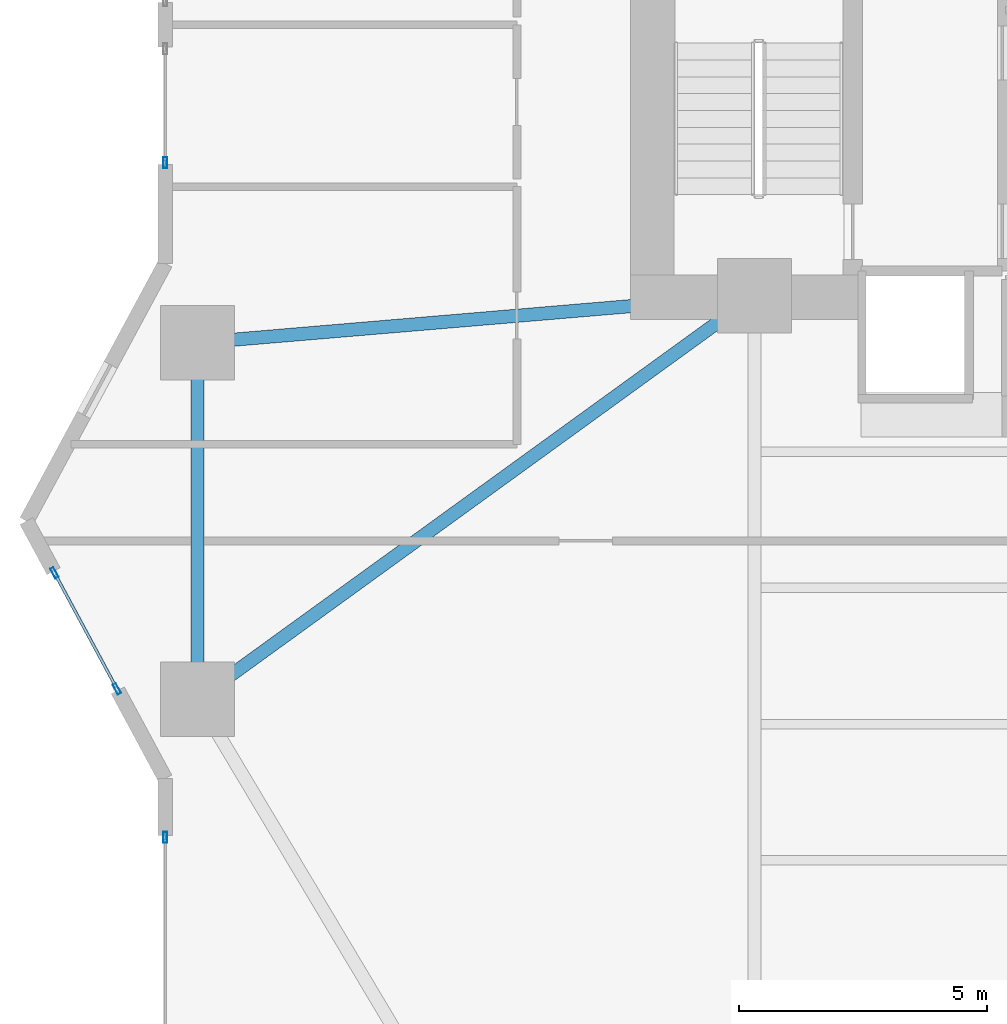
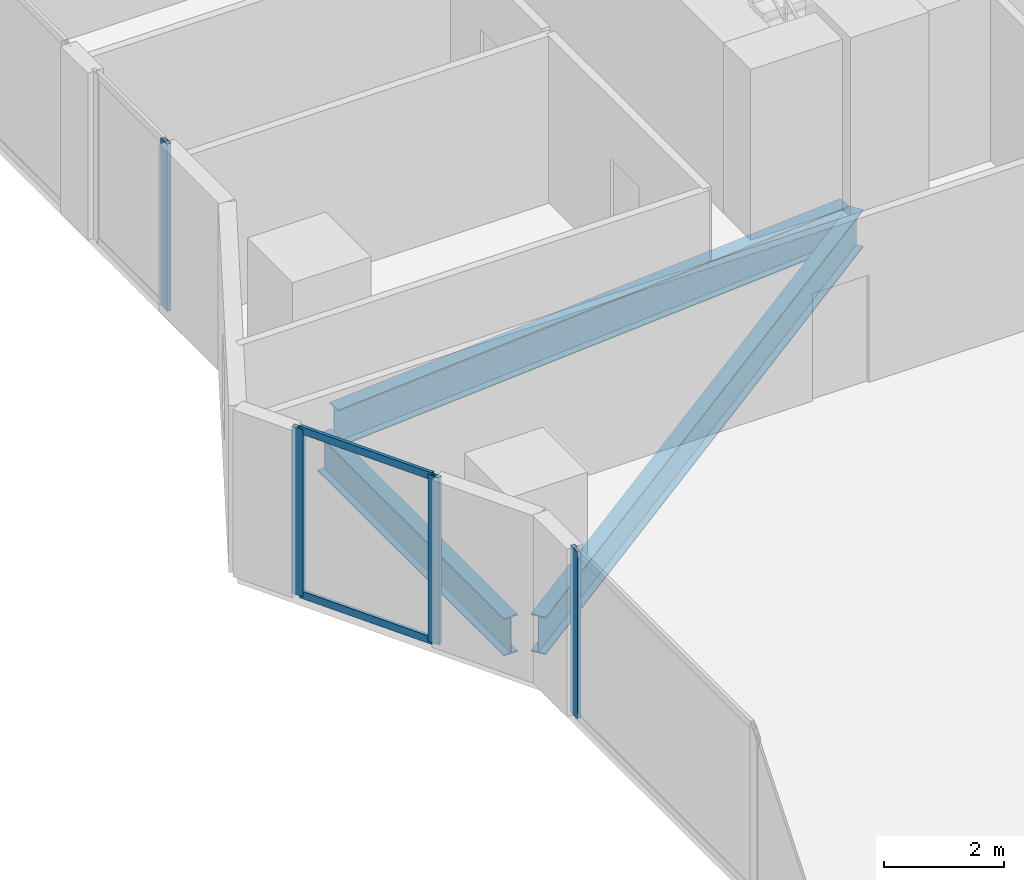
# One storey, part 6 of 30: 6 members, 3 beams, 3 elements without a shape of their own.
"""IFC4 building model written with IfcOpenShell, lengths in metres."""

from ifc_helpers import new_model, si_unit, direction, frame, origin, origin_2d, place, context, subcontext, project, spatial, hollow_rectangle, i_section, extrude, material, layer, layer_set, material_profile, profile_set, type_object, element, aggregate, save


model = new_model("IFC4")

# Units and contexts
model_context = context("Model", 3, precision=1e-05, world=origin(), true_north=direction((0.0, 1.0)))
body_context = subcontext(model_context, "Body", "Model", "MODEL_VIEW")
ifc_project = project(units=[si_unit("LENGTHUNIT", "METRE"), si_unit("AREAUNIT", "SQUARE_METRE"), si_unit("VOLUMEUNIT", "CUBIC_METRE"), si_unit("PLANEANGLEUNIT", "RADIAN"), si_unit("MASSUNIT", "GRAM", prefix="KILO")], contexts=[model_context])

# Site, building, storey
site_placement = place(None, origin())
site = spatial("IfcSite", under=ifc_project, at=site_placement, CompositionType="ELEMENT")
building_placement = place(site_placement, origin())
building = spatial("IfcBuilding", under=site, at=building_placement, Name="Zuhayl Quay Hotel", CompositionType="ELEMENT")
storey_placement = place(building_placement, frame((0.0, 0.0, 86.0)))
storey = spatial("IfcBuildingStorey", under=building, at=storey_placement, Name="L21", CompositionType="ELEMENT", Elevation=86.0)

# Beams
ifc_material_1 = material(Name="Steel ASTM A992 Grade 50", Category="steel")
ifc_material_profile_1 = material_profile(ifc_material_1, i_section(OverallWidth=0.26708984375, OverallDepth=0.761962890625, WebThickness=0.014404296875, FlangeThickness=0.021484375, at=origin_2d()), Name="W30X116")
ifc_profile_set_1 = profile_set([ifc_material_profile_1], Name="Steel ASTM A992 Grade 50")
beam_type = type_object("IfcBeamType", Name="BM_B1_W30X116", PredefinedType="BEAM", material=ifc_profile_set_1)
beam_1_placement = place(storey_placement, frame((-25.050048828125, 3.10009765625, -0.60107421875), z_axis=(0.0, -1.0, 0.0), x_axis=(1.0, 0.0, 0.0)))
element("IfcBeam", 1, at=beam_1_placement, inside=storey, type_object=beam_type, Name="L21 Floor Beam RG_L21_11", PredefinedType="BEAM", context=body_context, shape_type="SweptSolid", body=[
    extrude(i_section(OverallWidth=0.26708984375, OverallDepth=0.761962890625, WebThickness=0.014404296875, FlangeThickness=0.021484375, at=origin_2d()), origin(), (0.0, 0.0, 1.0), 6.2001953125),
])
beam_2_placement = place(storey_placement, frame((-24.64501953125, -3.306640625, -0.60107421875), z_axis=(0.809830244688, 0.586664277751, 0.0), x_axis=(-0.586664277751, 0.809830244688, 0.0)))
element("IfcBeam", 2, at=beam_2_placement, inside=storey, type_object=beam_type, Name="L21 Floor Beam FG_W_L21_1", PredefinedType="BEAM", context=body_context, shape_type="SweptSolid", body=[
    extrude(i_section(OverallWidth=0.26708984375, OverallDepth=0.761962890625, WebThickness=0.014404296875, FlangeThickness=0.021484375, at=origin_2d()), origin(), (0.0, 0.0, 1.0), 12.94189453125),
])
beam_3_placement = place(storey_placement, frame((-24.5517578125, 3.64208984375, -0.60107421875), z_axis=(0.996453145398, 0.084149444594, 0.0), x_axis=(-0.084149444594, 0.996453145398, 0.0)))
element("IfcBeam", 3, at=beam_3_placement, inside=storey, type_object=beam_type, Name="L21 Floor Beam FG_W_L21_2", PredefinedType="BEAM", context=body_context, shape_type="SweptSolid", body=[
    extrude(i_section(OverallWidth=0.26708984375, OverallDepth=0.761962890625, WebThickness=0.014404296875, FlangeThickness=0.021484375, at=origin_2d()), origin(), (0.0, 0.0, 1.0), 10.340087890625),
])

# Curtain wall, member
ifc_material_2 = material(Name="Anodised Aluminium 6063-T6", Category="aluminium")
ifc_layer = layer(ifc_material_2, 0.18994140625, Name="Anodised Aluminium 6063-T6", Category="aluminium")
ifc_layer_set = layer_set([ifc_layer], Name="Anodised Aluminium 6063-T6")
curtain_wall_type = type_object("IfcCurtainWallType", Name="CW_SYS_Z1", PredefinedType="USERDEFINED", material=ifc_layer_set)
curtain_wall_1_placement = place(storey_placement, origin())
curtain_wall_1 = element("IfcCurtainWall", 4, at=curtain_wall_1_placement, inside=storey, type_object=curtain_wall_type, Name="L21 Curtain Wall ENV_L21_E02_CW1", ObjectType="UNITISED CURTAIN WALL", PredefinedType="USERDEFINED")
ifc_material_3 = material(Name="Black-anodised aluminium 6063-T6", Category="aluminium")
ifc_material_profile_2 = material_profile(ifc_material_3, hollow_rectangle(XDim=0.074951171875, YDim=0.219970703125, WallThickness=0.00390625, at=origin_2d()), Name="ALU220X75")
ifc_profile_set_2 = profile_set([ifc_material_profile_2], Name="Black-anodised aluminium 6063-T6")
member_type_1 = type_object("IfcMemberType", Name="MB_CW_MUL_220", PredefinedType="MULLION", material=ifc_profile_set_2)
member_1_placement = place(storey_placement, frame((-25.699951171875, -6.387451171875, 0.0), z_axis=(0.0, 0.0, 1.0), x_axis=(-1.0, 0.0, 0.0)))
member_1 = element("IfcMember", 5, at=member_1_placement, type_object=member_type_1, Name="CW-Z1 mullion 3", PredefinedType="MULLION", context=body_context, shape_type="SweptSolid", body=[
    extrude(hollow_rectangle(XDim=0.074951171875, YDim=0.219970703125, WallThickness=0.00390625, at=origin_2d()), origin(), (0.0, 0.0, 1.0), 3.389892578125),
])
aggregate(curtain_wall_1, [member_1])

# Curtain wall, members
curtain_wall_2_placement = place(storey_placement, origin())
curtain_wall_2 = element("IfcCurtainWall", 6, at=curtain_wall_2_placement, inside=storey, type_object=curtain_wall_type, Name="L21 Curtain Wall ENV_L21_E03_CW1", ObjectType="UNITISED CURTAIN WALL", PredefinedType="USERDEFINED")
member_2_placement = place(storey_placement, frame((-26.67578125, -3.387939453125, 0.0), z_axis=(0.0, 0.0, 1.0), x_axis=(-0.880475795468, -0.474091102632, 0.0)))
member_2 = element("IfcMember", 7, at=member_2_placement, type_object=member_type_1, Name="CW-Z1 mullion 1", PredefinedType="MULLION", context=body_context, shape_type="SweptSolid", body=[
    extrude(hollow_rectangle(XDim=0.074951171875, YDim=0.219970703125, WallThickness=0.00390625, at=origin_2d()), origin(), (0.0, 0.0, 1.0), 3.389892578125),
])
member_3_placement = place(storey_placement, frame((-27.93701171875, -1.04541015625, 0.0), z_axis=(0.0, 0.0, 1.0), x_axis=(-0.880475795468, -0.474091102632, 0.0)))
member_3 = element("IfcMember", 8, at=member_3_placement, type_object=member_type_1, Name="CW-Z1 mullion 2", PredefinedType="MULLION", context=body_context, shape_type="SweptSolid", body=[
    extrude(hollow_rectangle(XDim=0.074951171875, YDim=0.219970703125, WallThickness=0.00390625, at=origin_2d()), origin(), (0.0, 0.0, 1.0), 3.389892578125),
])

# Curtain wall, member
curtain_wall_3_placement = place(storey_placement, origin())
curtain_wall_3 = element("IfcCurtainWall", 9, at=curtain_wall_3_placement, inside=storey, type_object=curtain_wall_type, Name="L21 Curtain Wall ENV_L21_E05_CW1", ObjectType="UNITISED CURTAIN WALL", PredefinedType="USERDEFINED")
member_4_placement = place(storey_placement, frame((-25.699951171875, 7.237548828125, 0.0), z_axis=(0.0, 0.0, 1.0), x_axis=(-1.0, 0.0, 0.0)))
member_4 = element("IfcMember", 10, at=member_4_placement, type_object=member_type_1, Name="CW-Z1 mullion 1", PredefinedType="MULLION", context=body_context, shape_type="SweptSolid", body=[
    extrude(hollow_rectangle(XDim=0.074951171875, YDim=0.219970703125, WallThickness=0.00390625, at=origin_2d()), origin(), (0.0, 0.0, 1.0), 3.389892578125),
])
aggregate(curtain_wall_3, [member_4])

# Member
ifc_material_profile_3 = material_profile(ifc_material_3, hollow_rectangle(XDim=0.06005859375, YDim=0.14990234375, WallThickness=0.00341796875, at=origin_2d()), Name="ALU150X60")
ifc_profile_set_3 = profile_set([ifc_material_profile_3], Name="Black-anodised aluminium 6063-T6")
member_type_2 = type_object("IfcMemberType", Name="MB_CW_TRN_150", PredefinedType="USERDEFINED", material=ifc_profile_set_3)
member_5_placement = place(storey_placement, frame((-26.693603515625, -3.35498046875, 0.030029296875), z_axis=(-0.474054771703, 0.880495356845, 0.0), x_axis=(-0.880495356845, -0.474054771703, 0.0)))
member_5 = element("IfcMember", 11, at=member_5_placement, type_object=member_type_2, Name="CW-Z1 transom 1.1", ObjectType="TRANSOM", PredefinedType="USERDEFINED", context=body_context, shape_type="SweptSolid", body=[
    extrude(hollow_rectangle(XDim=0.06005859375, YDim=0.14990234375, WallThickness=0.00341796875, at=origin_2d()), origin(), (0.0, 0.0, 1.0), 2.585205078125),
])

member_6_placement = place(storey_placement, frame((-26.693603515625, -3.35498046875, 3.360107421875), z_axis=(-0.474054771703, 0.880495356845, 0.0), x_axis=(-0.880495356845, -0.474054771703, 0.0)))
member_6 = element("IfcMember", 12, at=member_6_placement, type_object=member_type_2, Name="CW-Z1 transom 1.2", ObjectType="TRANSOM", PredefinedType="USERDEFINED", context=body_context, shape_type="SweptSolid", body=[
    extrude(hollow_rectangle(XDim=0.06005859375, YDim=0.14990234375, WallThickness=0.00341796875, at=origin_2d()), origin(), (0.0, 0.0, 1.0), 2.585205078125),
])

aggregate(curtain_wall_2, [member_2, member_3, member_5, member_6])

save(model, "model.ifc")
